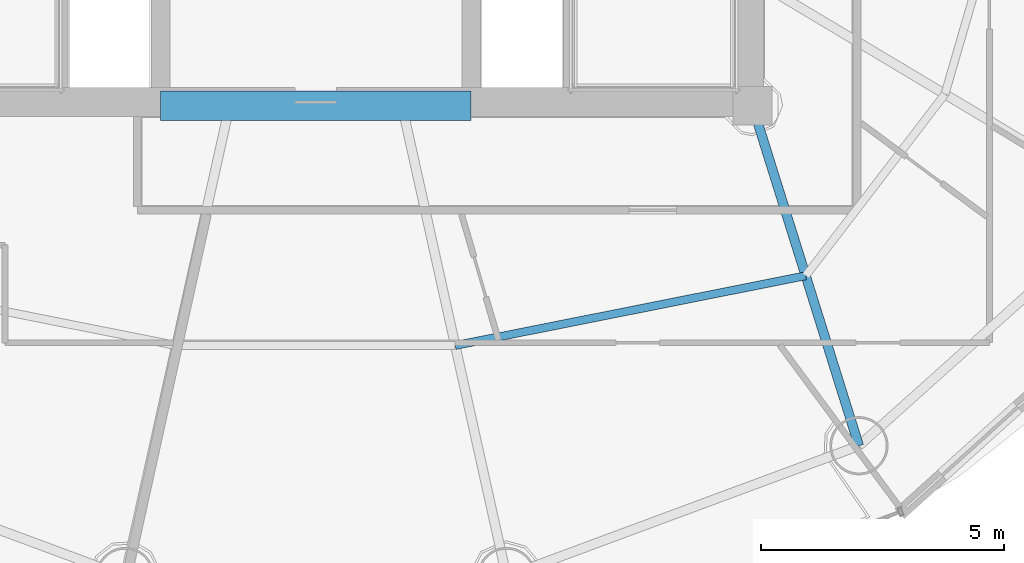
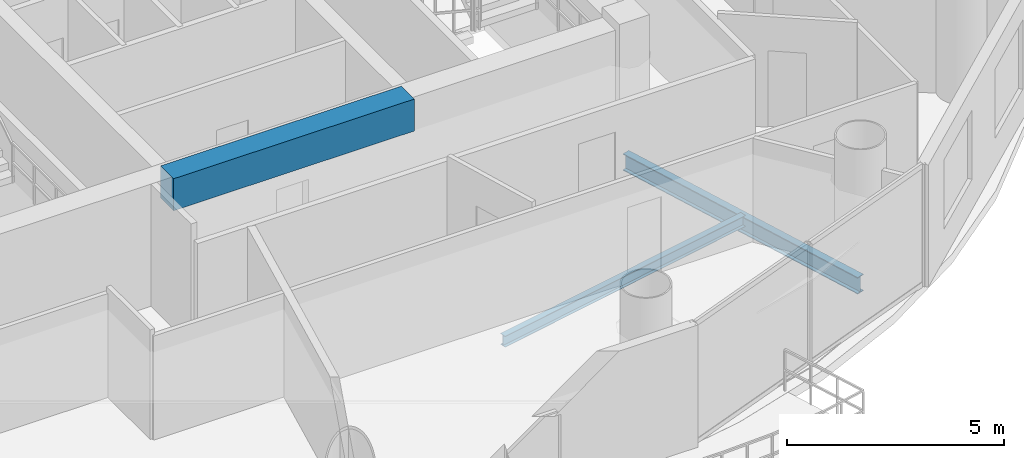
# One storey, part 7 of 26: 3 beams.
"""IFC4 building model written with IfcOpenShell, lengths in metres."""

from ifc_helpers import new_model, si_unit, direction, frame, origin, origin_2d, place, context, subcontext, project, spatial, rectangle, i_section, extrude, material, material_profile, profile_set, type_object, element, save


model = new_model("IFC4")

# Units and contexts
model_context = context("Model", 3, precision=1e-05, world=origin(), true_north=direction((-0.2419218956, 0.970295726276)))
body_context = subcontext(model_context, "Body", "Model", "MODEL_VIEW")
ifc_project = project(units=[si_unit("LENGTHUNIT", "METRE"), si_unit("AREAUNIT", "SQUARE_METRE"), si_unit("VOLUMEUNIT", "CUBIC_METRE"), si_unit("PLANEANGLEUNIT", "RADIAN"), si_unit("MASSUNIT", "GRAM", prefix="KILO")], contexts=[model_context])

# Site, building, storey
site_placement = place(None, origin())
site = spatial("IfcSite", under=ifc_project, at=site_placement, CompositionType="ELEMENT")
building_placement = place(site_placement, origin())
building = spatial("IfcBuilding", under=site, at=building_placement, Name="Cobrevalo Terracotta Tower", CompositionType="ELEMENT")
storey_placement = place(building_placement, frame((0.0, 0.0, 231.89990234375)))
storey = spatial("IfcBuildingStorey", under=building, at=storey_placement, Name="L61", CompositionType="ELEMENT", Elevation=231.89990234375)

# Beams
ifc_material_1 = material(Name="Concrete C60", Category="concrete")
ifc_material_profile_1 = material_profile(ifc_material_1, rectangle(XDim=0.60009765625, YDim=0.89990234375, at=origin_2d()), Name="RC CB 600x900")
ifc_profile_set_1 = profile_set([ifc_material_profile_1], Name="Concrete C60")
beam_type_1 = type_object("IfcBeamType", Name="Structural Beam RC CB 600x900 (Concrete C60)", PredefinedType="BEAM", material=ifc_profile_set_1)
beam_1_placement = place(storey_placement, frame((34.800048828125, 18.800048828125, 2.985107421875), z_axis=(1.0, 0.0, 0.0), x_axis=(0.0, 1.0, 0.0)))
element("IfcBeam", 1, at=beam_1_placement, inside=storey, type_object=beam_type_1, Name="L61 core coupling beam 1", PredefinedType="BEAM", context=body_context, shape_type="SweptSolid", body=[
    extrude(rectangle(XDim=0.60009765625, YDim=0.89990234375, at=origin_2d()), origin(), (0.0, 0.0, 1.0), 6.39990234375),
])
ifc_material_2 = material(Name="Steel S355", Category="steel")
ifc_material_profile_2 = material_profile(ifc_material_2, i_section(OverallWidth=0.194091796875, OverallDepth=0.468994140625, WebThickness=0.011474609375, FlangeThickness=0.0205078125, at=origin_2d()), Name="W 460x106")
ifc_profile_set_2 = profile_set([ifc_material_profile_2], Name="Steel S355")
beam_type_2 = type_object("IfcBeamType", Name="Structural Beam W 460x106 (Steel S355)", PredefinedType="BEAM", material=ifc_profile_set_2)
beam_2_placement = place(storey_placement, frame((49.19482421875, 11.7919921875, -0.49951171875), z_axis=(-0.298871212691, 0.954293454984, 0.0), x_axis=(-0.954293454984, -0.298871212691, 0.0)))
element("IfcBeam", 2, at=beam_2_placement, inside=storey, type_object=beam_type_2, Name="L61 radial floor girder 14", PredefinedType="BEAM", context=body_context, shape_type="SweptSolid", body=[
    extrude(i_section(OverallWidth=0.194091796875, OverallDepth=0.468994140625, WebThickness=0.011474609375, FlangeThickness=0.0205078125, at=origin_2d()), origin(), (0.0, 0.0, 1.0), 7.34375),
])
ifc_material_profile_3 = material_profile(ifc_material_2, i_section(OverallWidth=0.1650390625, OverallDepth=0.31005859375, WebThickness=0.005859375, FlangeThickness=0.009765625, at=origin_2d()), Name="W 310x38.7")
ifc_profile_set_3 = profile_set([ifc_material_profile_3], Name="Steel S355")
beam_type_3 = type_object("IfcBeamType", Name="Structural Joist W 310x38.7 (Steel S355)", PredefinedType="JOIST", material=ifc_profile_set_3)
beam_3_placement = place(storey_placement, frame((40.873779296875, 13.8583984375, -0.419921875), z_axis=(0.980768907748, 0.195172614871, 0.0), x_axis=(-0.195172614871, 0.980768907748, 0.0)))
element("IfcBeam", 3, at=beam_3_placement, inside=storey, type_object=beam_type_3, Name="L61 circumferential secondary floor joist 13", PredefinedType="JOIST", context=body_context, shape_type="SweptSolid", body=[
    extrude(i_section(OverallWidth=0.1650390625, OverallDepth=0.31005859375, WebThickness=0.005859375, FlangeThickness=0.009765625, at=origin_2d()), origin(), (0.0, 0.0, 1.0), 7.365234375),
])

save(model, "model.ifc")
